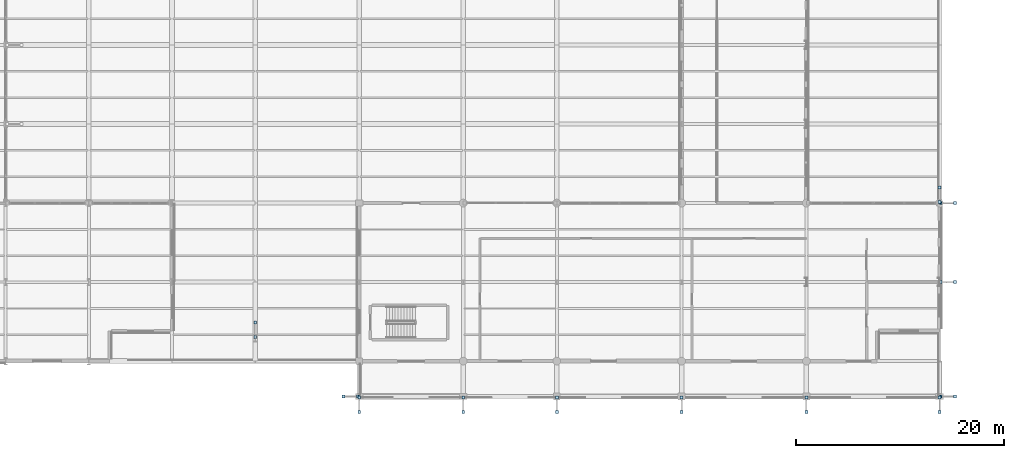
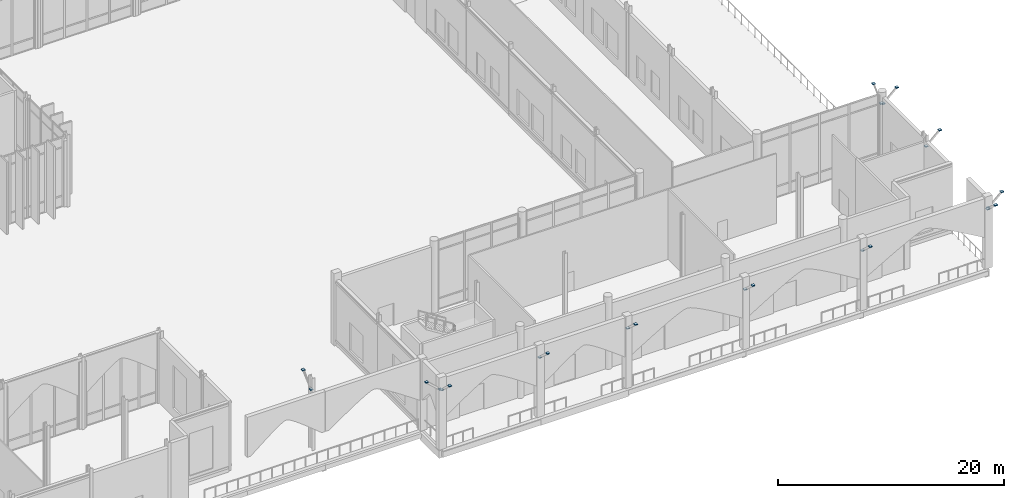
# One storey, part 130 of 176: 24 plates.
"""IFC4 building model written with IfcOpenShell, lengths in metres."""

from ifc_helpers import new_model, si_unit, direction, frame, origin, origin_2d, place, context, subcontext, project, spatial, rectangle, extrude, material, layer, layer_set, type_object, element, save


model = new_model("IFC4")

# Units and contexts
model_context = context("Model", 3, precision=1e-05, world=origin(), true_north=direction((0.0, 1.0)))
body_context = subcontext(model_context, "Body", "Model", "MODEL_VIEW")
ifc_project = project(units=[si_unit("LENGTHUNIT", "METRE"), si_unit("AREAUNIT", "SQUARE_METRE"), si_unit("VOLUMEUNIT", "CUBIC_METRE"), si_unit("PLANEANGLEUNIT", "RADIAN"), si_unit("MASSUNIT", "GRAM", prefix="KILO")], contexts=[model_context])

# Site, building, storey
site_placement = place(None, origin())
site = spatial("IfcSite", under=ifc_project, at=site_placement, CompositionType="ELEMENT")
building_placement = place(site_placement, origin())
building = spatial("IfcBuilding", under=site, at=building_placement, Name="Vekula Escarpment Museum", CompositionType="ELEMENT")
storey_placement = place(building_placement, origin())
storey = spatial("IfcBuildingStorey", under=building, at=storey_placement, Name="L01", CompositionType="ELEMENT", Elevation=0.0)

# Plates
ifc_material = material(Name="Steel S355", Category="steel")
ifc_layer = layer(ifc_material, 0.01611328125)
ifc_layer_set = layer_set([ifc_layer], Name="Steel S355")
plate_type = type_object("IfcPlateType", Name="PL-CAP-16", PredefinedType="SHEET", material=ifc_layer_set)
for number, where, z_axis, x_axis, name in (
    (1, (126.0, 2.314697265625, 6.294189453125), (0.0, 0.0, 1.0), (1.0, 0.0, 0.0), "Hollow section end cap CP-16"),
    (2, (126.0, 3.705322265625, 7.563720703125), (0.0, 0.0, 1.0), (1.0, 0.0, 0.0), "Hollow section end cap CP-16"),
    (3, (135.88525390625, -3.39990234375, 6.294189453125), (0.0, 0.0, 1.0), (1.0, 0.0, 0.0), "Hollow section end cap CP-16"),
    (4, (134.49462890625, -3.39990234375, 7.563720703125), (0.0, 0.0, 1.0), (1.0, 0.0, 0.0), "Hollow section end cap CP-16"),
    (5, (136.0, -3.5146484375, 6.294189453125), (0.0, 0.0, 1.0), (1.0, 0.0, 0.0), "Hollow section end cap CP-16"),
    (6, (136.0, -4.9052734375, 7.563720703125), (0.0, 0.0, 1.0), (1.0, 0.0, 0.0), "Hollow section end cap CP-16"),
    (7, (146.0, -3.5146484375, 6.294189453125), (0.0, 0.0, 1.0), (1.0, 0.0, 0.0), "Hollow section end cap CP-16"),
    (8, (146.0, -4.9052734375, 7.563720703125), (0.0, 0.0, 1.0), (1.0, 0.0, 0.0), "Hollow section end cap CP-16"),
    (9, (155.0, -3.5146484375, 6.294189453125), (0.0, 0.0, 1.0), (1.0, 0.0, 0.0), "Hollow section end cap CP-16"),
    (10, (155.0, -4.9052734375, 7.563720703125), (0.0, 0.0, 1.0), (1.0, 0.0, 0.0), "Hollow section end cap CP-16"),
    (11, (167.0, -3.5146484375, 6.294189453125), (0.0, 0.0, 1.0), (1.0, 0.0, 0.0), "Hollow section end cap CP-16"),
    (12, (167.0, -4.9052734375, 7.563720703125), (0.0, 0.0, 1.0), (1.0, 0.0, 0.0), "Hollow section end cap CP-16"),
    (13, (179.0, -3.5146484375, 6.294189453125), (0.0, 0.0, 1.0), (1.0, 0.0, 0.0), "Hollow section end cap CP-16"),
    (14, (179.0, -4.9052734375, 7.563720703125), (0.0, 0.0, 1.0), (1.0, 0.0, 0.0), "Hollow section end cap CP-16"),
    (15, (191.914794921875, -3.39990234375, 6.294189453125), (0.0, 0.0, 1.0), (1.0, 0.0, 0.0), "Hollow section end cap CP-16"),
    (16, (193.305419921875, -3.39990234375, 7.563720703125), (0.0, 0.0, 1.0), (1.0, 0.0, 0.0), "Hollow section end cap CP-16"),
    (17, (191.800048828125, -3.5146484375, 6.294189453125), (0.0, 0.0, 1.0), (1.0, 0.0, 0.0), "Hollow section end cap CP-16"),
    (18, (191.800048828125, -4.9052734375, 7.563720703125), (0.0, 0.0, 1.0), (1.0, 0.0, 0.0), "Hollow section end cap CP-16"),
    (19, (191.914794921875, 7.60009765625, 6.294189453125), (0.0, 0.0, 1.0), (1.0, 0.0, 0.0), "Hollow section end cap CP-16"),
    (20, (193.305419921875, 7.60009765625, 7.563720703125), (0.0, 0.0, 1.0), (1.0, 0.0, 0.0), "Hollow section end cap CP-16"),
    (21, (191.914794921875, 15.199951171875, 6.294189453125), (0.0, 0.0, 1.0), (1.0, 0.0, 0.0), "Hollow section end cap CP-16"),
    (22, (193.305419921875, 15.199951171875, 7.563720703125), (0.0, 0.0, 1.0), (1.0, 0.0, 0.0), "Hollow section end cap CP-16"),
    (23, (191.800048828125, 15.314697265625, 6.294189453125), (0.0, 0.0, 1.0), (1.0, 0.0, 0.0), "Hollow section end cap CP-16"),
    (24, (191.800048828125, 16.705322265625, 7.563720703125), (0.0, 0.0, 1.0), (1.0, 0.0, 0.0), "Hollow section end cap CP-16"),
):
    element("IfcPlate", number, at=place(storey_placement, frame(where, z_axis=z_axis, x_axis=x_axis)), inside=storey, type_object=plate_type, Name=name, PredefinedType="SHEET", context=body_context, shape_type="SweptSolid", body=[
        extrude(rectangle(XDim=0.280029296875, YDim=0.280029296875, at=origin_2d()), origin(), (0.0, 0.0, 1.0), 0.10205078125),
    ])

save(model, "model.ifc")
